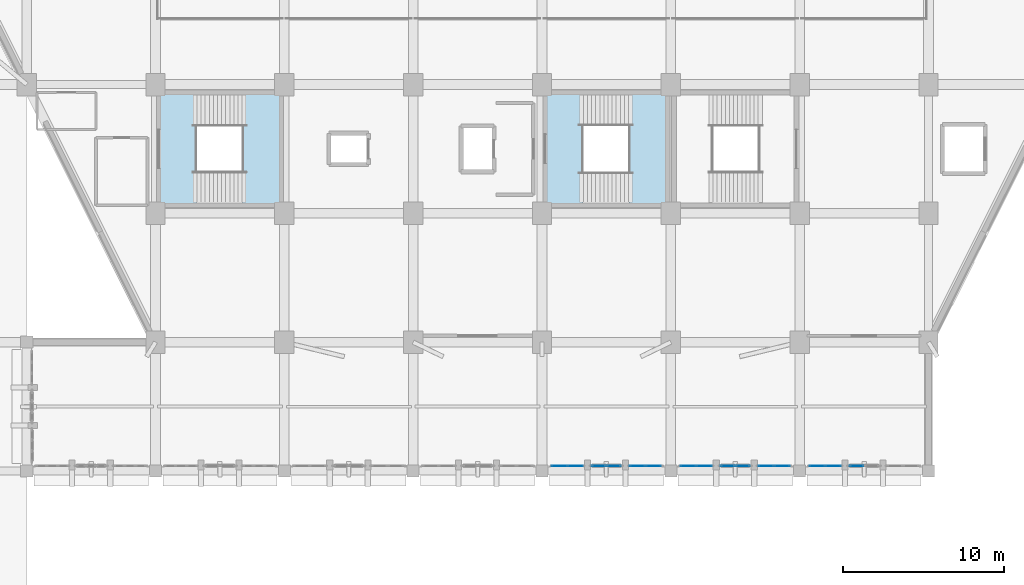
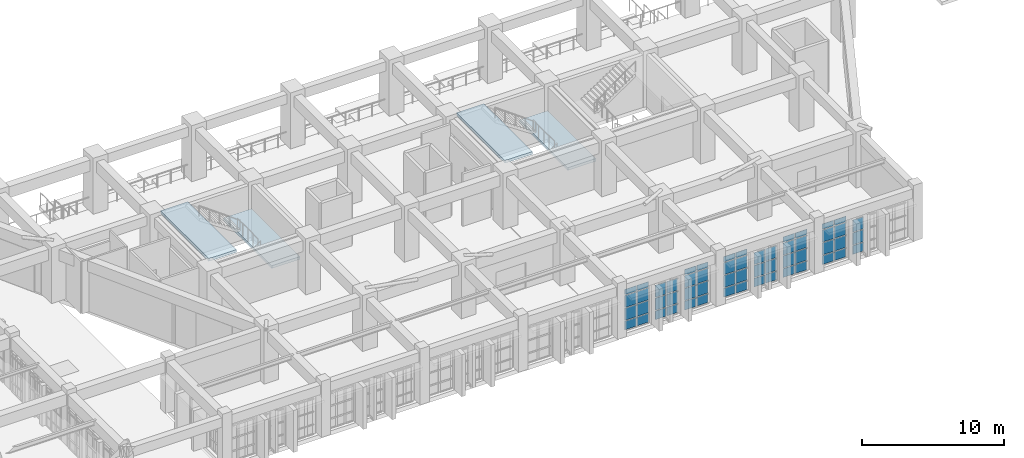
# One storey, part 96 of 155: 55 plates, 4 slabs, 10 elements without a shape of their own.
"""IFC4 building model written with IfcOpenShell, lengths in metres."""

from ifc_helpers import new_model, si_unit, direction, frame, origin, origin_2d, place, context, subcontext, project, spatial, polyline, rectangle, outline, extrude, material, layer, layer_set, type_object, element, aggregate, save


model = new_model("IFC4")

# Units and contexts
model_context = context("Model", 3, precision=1e-05, world=origin(), true_north=direction((0.0, 1.0)))
body_context = subcontext(model_context, "Body", "Model", "MODEL_VIEW")
ifc_project = project(units=[si_unit("LENGTHUNIT", "METRE"), si_unit("AREAUNIT", "SQUARE_METRE"), si_unit("VOLUMEUNIT", "CUBIC_METRE"), si_unit("PLANEANGLEUNIT", "RADIAN"), si_unit("MASSUNIT", "GRAM", prefix="KILO")], contexts=[model_context])

# Site, building, storey
site_placement = place(None, origin())
site = spatial("IfcSite", under=ifc_project, at=site_placement, CompositionType="ELEMENT")
building_placement = place(site_placement, origin())
building = spatial("IfcBuilding", under=site, at=building_placement, Name="Tazarka Park Arena", CompositionType="ELEMENT")
storey_placement = place(building_placement, frame((0.0, 0.0, 5.39990234375)))
storey = spatial("IfcBuildingStorey", under=building, at=storey_placement, Name="L01", CompositionType="ELEMENT", Elevation=5.39990234375)

# Curtain wall, plates
ifc_material_1 = material(Name="Aluminium and low-e glass", Category="aluminium")
ifc_layer_1 = layer(ifc_material_1, 0.179931640625, Name="Aluminium and low-e glass")
ifc_layer_set_1 = layer_set([ifc_layer_1], Name="Aluminium and low-e glass")
curtain_wall_type_1 = type_object("IfcCurtainWallType", Name="CW-18", PredefinedType="NOTDEFINED", material=ifc_layer_set_1)
curtain_wall_1_placement = place(storey_placement, origin())
curtain_wall_1 = element("IfcCurtainWall", 1, at=curtain_wall_1_placement, inside=storey, type_object=curtain_wall_type_1, Name="Curtain Wall CWA-L01-018", PredefinedType="NOTDEFINED")
ifc_material_2 = material(Name="Double low-e insulated glazing", Category="glass")
ifc_layer_2 = layer(ifc_material_2, 0.028076171875, Name="Double low-e insulated glazing")
ifc_layer_set_2 = layer_set([ifc_layer_2], Name="Double low-e insulated glazing")
plate_type_1 = type_object("IfcPlateType", Name="CWP-01", PredefinedType="CURTAIN_PANEL", material=ifc_layer_set_2)
plate_1_placement = place(storey_placement, frame((90.07861328125, 8.320068359375, 0.065185546875), z_axis=(0.0, 0.0, 1.0), x_axis=(-1.0, 0.0, 0.0)))
plate_1 = element("IfcPlate", 2, at=plate_1_placement, type_object=plate_type_1, Name="CW-18 panel 1.1", PredefinedType="CURTAIN_PANEL", context=body_context, shape_type="SweptSolid", body=[
    extrude(rectangle(XDim=0.92919921875, YDim=0.028076171875, at=origin_2d()), origin(), (0.0, 0.0, 1.0), 0.75244140625),
])
plate_2_placement = place(storey_placement, frame((90.07861328125, 8.320068359375, 0.8828125), z_axis=(0.0, 0.0, 1.0), x_axis=(-1.0, 0.0, 0.0)))
plate_2 = element("IfcPlate", 3, at=plate_2_placement, type_object=plate_type_1, Name="CW-18 panel 1.2", PredefinedType="CURTAIN_PANEL", context=body_context, shape_type="SweptSolid", body=[
    extrude(rectangle(XDim=0.92919921875, YDim=0.028076171875, at=origin_2d()), origin(), (0.0, 0.0, 1.0), 1.034912109375),
])
plate_3_placement = place(storey_placement, frame((90.07861328125, 8.320068359375, 1.982421875), z_axis=(0.0, 0.0, 1.0), x_axis=(-1.0, 0.0, 0.0)))
plate_3 = element("IfcPlate", 4, at=plate_3_placement, type_object=plate_type_1, Name="CW-18 panel 1.3", PredefinedType="CURTAIN_PANEL", context=body_context, shape_type="SweptSolid", body=[
    extrude(rectangle(XDim=0.92919921875, YDim=0.028076171875, at=origin_2d()), origin(), (0.0, 0.0, 1.0), 1.034912109375),
])
plate_4_placement = place(storey_placement, frame((90.07861328125, 8.320068359375, 3.08251953125), z_axis=(0.0, 0.0, 1.0), x_axis=(-1.0, 0.0, 0.0)))
plate_4 = element("IfcPlate", 5, at=plate_4_placement, type_object=plate_type_1, Name="CW-18 panel 1.4", PredefinedType="CURTAIN_PANEL", context=body_context, shape_type="SweptSolid", body=[
    extrude(rectangle(XDim=0.92919921875, YDim=0.028076171875, at=origin_2d()), origin(), (0.0, 0.0, 1.0), 0.452392578125),
])
plate_5_placement = place(storey_placement, frame((89.08447265625, 8.320068359375, 0.065185546875), z_axis=(0.0, 0.0, 1.0), x_axis=(-1.0, 0.0, 0.0)))
plate_5 = element("IfcPlate", 6, at=plate_5_placement, type_object=plate_type_1, Name="CW-18 panel 2.1", PredefinedType="CURTAIN_PANEL", context=body_context, shape_type="SweptSolid", body=[
    extrude(rectangle(XDim=0.92919921875, YDim=0.028076171875, at=origin_2d()), origin(), (0.0, 0.0, 1.0), 0.75244140625),
])
plate_6_placement = place(storey_placement, frame((89.08447265625, 8.320068359375, 0.8828125), z_axis=(0.0, 0.0, 1.0), x_axis=(-1.0, 0.0, 0.0)))
plate_6 = element("IfcPlate", 7, at=plate_6_placement, type_object=plate_type_1, Name="CW-18 panel 2.2", PredefinedType="CURTAIN_PANEL", context=body_context, shape_type="SweptSolid", body=[
    extrude(rectangle(XDim=0.92919921875, YDim=0.028076171875, at=origin_2d()), origin(), (0.0, 0.0, 1.0), 1.034912109375),
])
plate_7_placement = place(storey_placement, frame((89.08447265625, 8.320068359375, 1.982421875), z_axis=(0.0, 0.0, 1.0), x_axis=(-1.0, 0.0, 0.0)))
plate_7 = element("IfcPlate", 8, at=plate_7_placement, type_object=plate_type_1, Name="CW-18 panel 2.3", PredefinedType="CURTAIN_PANEL", context=body_context, shape_type="SweptSolid", body=[
    extrude(rectangle(XDim=0.92919921875, YDim=0.028076171875, at=origin_2d()), origin(), (0.0, 0.0, 1.0), 1.034912109375),
])
plate_8_placement = place(storey_placement, frame((89.08447265625, 8.320068359375, 3.08251953125), z_axis=(0.0, 0.0, 1.0), x_axis=(-1.0, 0.0, 0.0)))
plate_8 = element("IfcPlate", 9, at=plate_8_placement, type_object=plate_type_1, Name="CW-18 panel 2.4", PredefinedType="CURTAIN_PANEL", context=body_context, shape_type="SweptSolid", body=[
    extrude(rectangle(XDim=0.92919921875, YDim=0.028076171875, at=origin_2d()), origin(), (0.0, 0.0, 1.0), 0.452392578125),
])
aggregate(curtain_wall_1, [plate_1, plate_2, plate_3, plate_4, plate_5, plate_6, plate_7, plate_8])

ifc_material_3 = material(Name="Aluminium and low-e glass", Category="aluminium")
ifc_layer_3 = layer(ifc_material_3, 0.179931640625, Name="Aluminium and low-e glass")
ifc_layer_set_3 = layer_set([ifc_layer_3], Name="Aluminium and low-e glass")
curtain_wall_type_2 = type_object("IfcCurtainWallType", Name="CW-21", PredefinedType="NOTDEFINED", material=ifc_layer_set_3)
curtain_wall_2_placement = place(storey_placement, origin())
curtain_wall_2 = element("IfcCurtainWall", 10, at=curtain_wall_2_placement, inside=storey, type_object=curtain_wall_type_2, Name="Curtain Wall CWA-L01-021", PredefinedType="NOTDEFINED")
plate_9_placement = place(storey_placement, frame((98.07861328125, 8.320068359375, 0.065185546875), z_axis=(0.0, 0.0, 1.0), x_axis=(-1.0, 0.0, 0.0)))
plate_9 = element("IfcPlate", 11, at=plate_9_placement, type_object=plate_type_1, Name="CW-21 panel 1.1", PredefinedType="CURTAIN_PANEL", context=body_context, shape_type="SweptSolid", body=[
    extrude(rectangle(XDim=0.92919921875, YDim=0.028076171875, at=origin_2d()), origin(), (0.0, 0.0, 1.0), 0.75244140625),
])
plate_10_placement = place(storey_placement, frame((98.07861328125, 8.320068359375, 0.8828125), z_axis=(0.0, 0.0, 1.0), x_axis=(-1.0, 0.0, 0.0)))
plate_10 = element("IfcPlate", 12, at=plate_10_placement, type_object=plate_type_1, Name="CW-21 panel 1.2", PredefinedType="CURTAIN_PANEL", context=body_context, shape_type="SweptSolid", body=[
    extrude(rectangle(XDim=0.92919921875, YDim=0.028076171875, at=origin_2d()), origin(), (0.0, 0.0, 1.0), 1.034912109375),
])
plate_11_placement = place(storey_placement, frame((98.07861328125, 8.320068359375, 1.982421875), z_axis=(0.0, 0.0, 1.0), x_axis=(-1.0, 0.0, 0.0)))
plate_11 = element("IfcPlate", 13, at=plate_11_placement, type_object=plate_type_1, Name="CW-21 panel 1.3", PredefinedType="CURTAIN_PANEL", context=body_context, shape_type="SweptSolid", body=[
    extrude(rectangle(XDim=0.92919921875, YDim=0.028076171875, at=origin_2d()), origin(), (0.0, 0.0, 1.0), 1.034912109375),
])
plate_12_placement = place(storey_placement, frame((98.07861328125, 8.320068359375, 3.08251953125), z_axis=(0.0, 0.0, 1.0), x_axis=(-1.0, 0.0, 0.0)))
plate_12 = element("IfcPlate", 14, at=plate_12_placement, type_object=plate_type_1, Name="CW-21 panel 1.4", PredefinedType="CURTAIN_PANEL", context=body_context, shape_type="SweptSolid", body=[
    extrude(rectangle(XDim=0.92919921875, YDim=0.028076171875, at=origin_2d()), origin(), (0.0, 0.0, 1.0), 0.452392578125),
])
plate_13_placement = place(storey_placement, frame((97.08447265625, 8.320068359375, 0.065185546875), z_axis=(0.0, 0.0, 1.0), x_axis=(-1.0, 0.0, 0.0)))
plate_13 = element("IfcPlate", 15, at=plate_13_placement, type_object=plate_type_1, Name="CW-21 panel 2.1", PredefinedType="CURTAIN_PANEL", context=body_context, shape_type="SweptSolid", body=[
    extrude(rectangle(XDim=0.92919921875, YDim=0.028076171875, at=origin_2d()), origin(), (0.0, 0.0, 1.0), 0.75244140625),
])
plate_14_placement = place(storey_placement, frame((97.08447265625, 8.320068359375, 0.8828125), z_axis=(0.0, 0.0, 1.0), x_axis=(-1.0, 0.0, 0.0)))
plate_14 = element("IfcPlate", 16, at=plate_14_placement, type_object=plate_type_1, Name="CW-21 panel 2.2", PredefinedType="CURTAIN_PANEL", context=body_context, shape_type="SweptSolid", body=[
    extrude(rectangle(XDim=0.92919921875, YDim=0.028076171875, at=origin_2d()), origin(), (0.0, 0.0, 1.0), 1.034912109375),
])
plate_15_placement = place(storey_placement, frame((97.08447265625, 8.320068359375, 1.982421875), z_axis=(0.0, 0.0, 1.0), x_axis=(-1.0, 0.0, 0.0)))
plate_15 = element("IfcPlate", 17, at=plate_15_placement, type_object=plate_type_1, Name="CW-21 panel 2.3", PredefinedType="CURTAIN_PANEL", context=body_context, shape_type="SweptSolid", body=[
    extrude(rectangle(XDim=0.92919921875, YDim=0.028076171875, at=origin_2d()), origin(), (0.0, 0.0, 1.0), 1.034912109375),
])
plate_16_placement = place(storey_placement, frame((97.08447265625, 8.320068359375, 3.08251953125), z_axis=(0.0, 0.0, 1.0), x_axis=(-1.0, 0.0, 0.0)))
plate_16 = element("IfcPlate", 18, at=plate_16_placement, type_object=plate_type_1, Name="CW-21 panel 2.4", PredefinedType="CURTAIN_PANEL", context=body_context, shape_type="SweptSolid", body=[
    extrude(rectangle(XDim=0.92919921875, YDim=0.028076171875, at=origin_2d()), origin(), (0.0, 0.0, 1.0), 0.452392578125),
])
aggregate(curtain_wall_2, [plate_9, plate_10, plate_11, plate_12, plate_13, plate_14, plate_15, plate_16])

ifc_material_4 = material(Name="Aluminium and low-e glass", Category="aluminium")
ifc_layer_4 = layer(ifc_material_4, 0.179931640625, Name="Aluminium and low-e glass")
ifc_layer_set_4 = layer_set([ifc_layer_4], Name="Aluminium and low-e glass")
curtain_wall_type_3 = type_object("IfcCurtainWallType", Name="CW-24", PredefinedType="NOTDEFINED", material=ifc_layer_set_4)
curtain_wall_3_placement = place(storey_placement, origin())
curtain_wall_3 = element("IfcCurtainWall", 19, at=curtain_wall_3_placement, inside=storey, type_object=curtain_wall_type_3, Name="Curtain Wall CWA-L01-024", PredefinedType="NOTDEFINED")
plate_17_placement = place(storey_placement, frame((106.07861328125, 8.320068359375, 0.065185546875), z_axis=(0.0, 0.0, 1.0), x_axis=(-1.0, 0.0, 0.0)))
plate_17 = element("IfcPlate", 20, at=plate_17_placement, type_object=plate_type_1, Name="CW-24 panel 1.1", PredefinedType="CURTAIN_PANEL", context=body_context, shape_type="SweptSolid", body=[
    extrude(rectangle(XDim=0.92919921875, YDim=0.028076171875, at=origin_2d()), origin(), (0.0, 0.0, 1.0), 0.75244140625),
])
plate_18_placement = place(storey_placement, frame((106.07861328125, 8.320068359375, 0.8828125), z_axis=(0.0, 0.0, 1.0), x_axis=(-1.0, 0.0, 0.0)))
plate_18 = element("IfcPlate", 21, at=plate_18_placement, type_object=plate_type_1, Name="CW-24 panel 1.2", PredefinedType="CURTAIN_PANEL", context=body_context, shape_type="SweptSolid", body=[
    extrude(rectangle(XDim=0.92919921875, YDim=0.028076171875, at=origin_2d()), origin(), (0.0, 0.0, 1.0), 1.034912109375),
])
plate_19_placement = place(storey_placement, frame((106.07861328125, 8.320068359375, 1.982421875), z_axis=(0.0, 0.0, 1.0), x_axis=(-1.0, 0.0, 0.0)))
plate_19 = element("IfcPlate", 22, at=plate_19_placement, type_object=plate_type_1, Name="CW-24 panel 1.3", PredefinedType="CURTAIN_PANEL", context=body_context, shape_type="SweptSolid", body=[
    extrude(rectangle(XDim=0.92919921875, YDim=0.028076171875, at=origin_2d()), origin(), (0.0, 0.0, 1.0), 1.034912109375),
])
plate_20_placement = place(storey_placement, frame((106.07861328125, 8.320068359375, 3.08251953125), z_axis=(0.0, 0.0, 1.0), x_axis=(-1.0, 0.0, 0.0)))
plate_20 = element("IfcPlate", 23, at=plate_20_placement, type_object=plate_type_1, Name="CW-24 panel 1.4", PredefinedType="CURTAIN_PANEL", context=body_context, shape_type="SweptSolid", body=[
    extrude(rectangle(XDim=0.92919921875, YDim=0.028076171875, at=origin_2d()), origin(), (0.0, 0.0, 1.0), 0.452392578125),
])
plate_21_placement = place(storey_placement, frame((105.08447265625, 8.320068359375, 0.065185546875), z_axis=(0.0, 0.0, 1.0), x_axis=(-1.0, 0.0, 0.0)))
plate_21 = element("IfcPlate", 24, at=plate_21_placement, type_object=plate_type_1, Name="CW-24 panel 2.1", PredefinedType="CURTAIN_PANEL", context=body_context, shape_type="SweptSolid", body=[
    extrude(rectangle(XDim=0.92919921875, YDim=0.028076171875, at=origin_2d()), origin(), (0.0, 0.0, 1.0), 0.75244140625),
])
plate_22_placement = place(storey_placement, frame((105.08447265625, 8.320068359375, 0.8828125), z_axis=(0.0, 0.0, 1.0), x_axis=(-1.0, 0.0, 0.0)))
plate_22 = element("IfcPlate", 25, at=plate_22_placement, type_object=plate_type_1, Name="CW-24 panel 2.2", PredefinedType="CURTAIN_PANEL", context=body_context, shape_type="SweptSolid", body=[
    extrude(rectangle(XDim=0.92919921875, YDim=0.028076171875, at=origin_2d()), origin(), (0.0, 0.0, 1.0), 1.034912109375),
])
plate_23_placement = place(storey_placement, frame((105.08447265625, 8.320068359375, 1.982421875), z_axis=(0.0, 0.0, 1.0), x_axis=(-1.0, 0.0, 0.0)))
plate_23 = element("IfcPlate", 26, at=plate_23_placement, type_object=plate_type_1, Name="CW-24 panel 2.3", PredefinedType="CURTAIN_PANEL", context=body_context, shape_type="SweptSolid", body=[
    extrude(rectangle(XDim=0.92919921875, YDim=0.028076171875, at=origin_2d()), origin(), (0.0, 0.0, 1.0), 1.034912109375),
])
plate_24_placement = place(storey_placement, frame((105.08447265625, 8.320068359375, 3.08251953125), z_axis=(0.0, 0.0, 1.0), x_axis=(-1.0, 0.0, 0.0)))
plate_24 = element("IfcPlate", 27, at=plate_24_placement, type_object=plate_type_1, Name="CW-24 panel 2.4", PredefinedType="CURTAIN_PANEL", context=body_context, shape_type="SweptSolid", body=[
    extrude(rectangle(XDim=0.92919921875, YDim=0.028076171875, at=origin_2d()), origin(), (0.0, 0.0, 1.0), 0.452392578125),
])
aggregate(curtain_wall_3, [plate_17, plate_18, plate_19, plate_20, plate_21, plate_22, plate_23, plate_24])

ifc_material_5 = material(Name="Aluminium and low-e glass", Category="aluminium")
ifc_layer_5 = layer(ifc_material_5, 0.179931640625, Name="Aluminium and low-e glass")
ifc_layer_set_5 = layer_set([ifc_layer_5], Name="Aluminium and low-e glass")
curtain_wall_type_4 = type_object("IfcCurtainWallType", Name="CW-16", PredefinedType="NOTDEFINED", material=ifc_layer_set_5)
curtain_wall_4_placement = place(storey_placement, origin())
curtain_wall_4 = element("IfcCurtainWall", 28, at=curtain_wall_4_placement, inside=storey, type_object=curtain_wall_type_4, Name="Curtain Wall CWA-L01-016", PredefinedType="NOTDEFINED")
ifc_material_6 = material(Name="Triple acoustic solar glazing", Category="glass")
ifc_layer_6 = layer(ifc_material_6, 0.031982421875, Name="Triple acoustic solar glazing")
ifc_layer_set_6 = layer_set([ifc_layer_6], Name="Triple acoustic solar glazing")
plate_type_2 = type_object("IfcPlateType", Name="CWP-02", PredefinedType="CURTAIN_PANEL", material=ifc_layer_set_6)
plate_25_placement = place(storey_placement, frame((94.91552734375, 8.320068359375, 0.065185546875), z_axis=(0.0, 0.0, 1.0), x_axis=(-1.0, 0.0, 0.0)))
plate_25 = element("IfcPlate", 29, at=plate_25_placement, type_object=plate_type_2, Name="CW-16 panel 1.1", PredefinedType="CURTAIN_PANEL", context=body_context, shape_type="SweptSolid", body=[
    extrude(rectangle(XDim=0.92919921875, YDim=0.031982421875, at=origin_2d()), origin(), (0.0, 0.0, 1.0), 0.75244140625),
])
plate_26_placement = place(storey_placement, frame((94.91552734375, 8.320068359375, 0.8828125), z_axis=(0.0, 0.0, 1.0), x_axis=(-1.0, 0.0, 0.0)))
plate_26 = element("IfcPlate", 30, at=plate_26_placement, type_object=plate_type_2, Name="CW-16 panel 1.2", PredefinedType="CURTAIN_PANEL", context=body_context, shape_type="SweptSolid", body=[
    extrude(rectangle(XDim=0.92919921875, YDim=0.031982421875, at=origin_2d()), origin(), (0.0, 0.0, 1.0), 1.034912109375),
])
plate_27_placement = place(storey_placement, frame((94.91552734375, 8.320068359375, 1.982421875), z_axis=(0.0, 0.0, 1.0), x_axis=(-1.0, 0.0, 0.0)))
plate_27 = element("IfcPlate", 31, at=plate_27_placement, type_object=plate_type_2, Name="CW-16 panel 1.3", PredefinedType="CURTAIN_PANEL", context=body_context, shape_type="SweptSolid", body=[
    extrude(rectangle(XDim=0.92919921875, YDim=0.031982421875, at=origin_2d()), origin(), (0.0, 0.0, 1.0), 1.034912109375),
])
plate_28_placement = place(storey_placement, frame((94.91552734375, 8.320068359375, 3.08251953125), z_axis=(0.0, 0.0, 1.0), x_axis=(-1.0, 0.0, 0.0)))
plate_28 = element("IfcPlate", 32, at=plate_28_placement, type_object=plate_type_2, Name="CW-16 panel 1.4", PredefinedType="CURTAIN_PANEL", context=body_context, shape_type="SweptSolid", body=[
    extrude(rectangle(XDim=0.92919921875, YDim=0.031982421875, at=origin_2d()), origin(), (0.0, 0.0, 1.0), 0.452392578125),
])
plate_29_placement = place(storey_placement, frame((93.92138671875, 8.320068359375, 0.065185546875), z_axis=(0.0, 0.0, 1.0), x_axis=(-1.0, 0.0, 0.0)))
plate_29 = element("IfcPlate", 33, at=plate_29_placement, type_object=plate_type_2, Name="CW-16 panel 2.1", PredefinedType="CURTAIN_PANEL", context=body_context, shape_type="SweptSolid", body=[
    extrude(rectangle(XDim=0.92919921875, YDim=0.031982421875, at=origin_2d()), origin(), (0.0, 0.0, 1.0), 0.75244140625),
])
plate_30_placement = place(storey_placement, frame((93.92138671875, 8.320068359375, 0.8828125), z_axis=(0.0, 0.0, 1.0), x_axis=(-1.0, 0.0, 0.0)))
plate_30 = element("IfcPlate", 34, at=plate_30_placement, type_object=plate_type_2, Name="CW-16 panel 2.2", PredefinedType="CURTAIN_PANEL", context=body_context, shape_type="SweptSolid", body=[
    extrude(rectangle(XDim=0.92919921875, YDim=0.031982421875, at=origin_2d()), origin(), (0.0, 0.0, 1.0), 1.034912109375),
])
plate_31_placement = place(storey_placement, frame((93.92138671875, 8.320068359375, 1.982421875), z_axis=(0.0, 0.0, 1.0), x_axis=(-1.0, 0.0, 0.0)))
plate_31 = element("IfcPlate", 35, at=plate_31_placement, type_object=plate_type_2, Name="CW-16 panel 2.3", PredefinedType="CURTAIN_PANEL", context=body_context, shape_type="SweptSolid", body=[
    extrude(rectangle(XDim=0.92919921875, YDim=0.031982421875, at=origin_2d()), origin(), (0.0, 0.0, 1.0), 1.034912109375),
])
plate_32_placement = place(storey_placement, frame((93.92138671875, 8.320068359375, 3.08251953125), z_axis=(0.0, 0.0, 1.0), x_axis=(-1.0, 0.0, 0.0)))
plate_32 = element("IfcPlate", 36, at=plate_32_placement, type_object=plate_type_2, Name="CW-16 panel 2.4", PredefinedType="CURTAIN_PANEL", context=body_context, shape_type="SweptSolid", body=[
    extrude(rectangle(XDim=0.92919921875, YDim=0.031982421875, at=origin_2d()), origin(), (0.0, 0.0, 1.0), 0.452392578125),
])
aggregate(curtain_wall_4, [plate_25, plate_26, plate_27, plate_28, plate_29, plate_30, plate_31, plate_32])

ifc_material_7 = material(Name="Aluminium and low-e glass", Category="aluminium")
ifc_layer_7 = layer(ifc_material_7, 0.179931640625, Name="Aluminium and low-e glass")
ifc_layer_set_7 = layer_set([ifc_layer_7], Name="Aluminium and low-e glass")
curtain_wall_type_5 = type_object("IfcCurtainWallType", Name="CW-19", PredefinedType="NOTDEFINED", material=ifc_layer_set_7)
curtain_wall_5_placement = place(storey_placement, origin())
curtain_wall_5 = element("IfcCurtainWall", 37, at=curtain_wall_5_placement, inside=storey, type_object=curtain_wall_type_5, Name="Curtain Wall CWA-L01-019", PredefinedType="NOTDEFINED")
plate_33_placement = place(storey_placement, frame((102.91552734375, 8.320068359375, 0.065185546875), z_axis=(0.0, 0.0, 1.0), x_axis=(-1.0, 0.0, 0.0)))
plate_33 = element("IfcPlate", 38, at=plate_33_placement, type_object=plate_type_2, Name="CW-19 panel 1.1", PredefinedType="CURTAIN_PANEL", context=body_context, shape_type="SweptSolid", body=[
    extrude(rectangle(XDim=0.92919921875, YDim=0.031982421875, at=origin_2d()), origin(), (0.0, 0.0, 1.0), 0.75244140625),
])
plate_34_placement = place(storey_placement, frame((102.91552734375, 8.320068359375, 0.8828125), z_axis=(0.0, 0.0, 1.0), x_axis=(-1.0, 0.0, 0.0)))
plate_34 = element("IfcPlate", 39, at=plate_34_placement, type_object=plate_type_2, Name="CW-19 panel 1.2", PredefinedType="CURTAIN_PANEL", context=body_context, shape_type="SweptSolid", body=[
    extrude(rectangle(XDim=0.92919921875, YDim=0.031982421875, at=origin_2d()), origin(), (0.0, 0.0, 1.0), 1.034912109375),
])
plate_35_placement = place(storey_placement, frame((102.91552734375, 8.320068359375, 1.982421875), z_axis=(0.0, 0.0, 1.0), x_axis=(-1.0, 0.0, 0.0)))
plate_35 = element("IfcPlate", 40, at=plate_35_placement, type_object=plate_type_2, Name="CW-19 panel 1.3", PredefinedType="CURTAIN_PANEL", context=body_context, shape_type="SweptSolid", body=[
    extrude(rectangle(XDim=0.92919921875, YDim=0.031982421875, at=origin_2d()), origin(), (0.0, 0.0, 1.0), 1.034912109375),
])
plate_36_placement = place(storey_placement, frame((102.91552734375, 8.320068359375, 3.08251953125), z_axis=(0.0, 0.0, 1.0), x_axis=(-1.0, 0.0, 0.0)))
plate_36 = element("IfcPlate", 41, at=plate_36_placement, type_object=plate_type_2, Name="CW-19 panel 1.4", PredefinedType="CURTAIN_PANEL", context=body_context, shape_type="SweptSolid", body=[
    extrude(rectangle(XDim=0.92919921875, YDim=0.031982421875, at=origin_2d()), origin(), (0.0, 0.0, 1.0), 0.452392578125),
])
plate_37_placement = place(storey_placement, frame((101.92138671875, 8.320068359375, 0.065185546875), z_axis=(0.0, 0.0, 1.0), x_axis=(-1.0, 0.0, 0.0)))
plate_37 = element("IfcPlate", 42, at=plate_37_placement, type_object=plate_type_2, Name="CW-19 panel 2.1", PredefinedType="CURTAIN_PANEL", context=body_context, shape_type="SweptSolid", body=[
    extrude(rectangle(XDim=0.92919921875, YDim=0.031982421875, at=origin_2d()), origin(), (0.0, 0.0, 1.0), 0.75244140625),
])
plate_38_placement = place(storey_placement, frame((101.92138671875, 8.320068359375, 0.8828125), z_axis=(0.0, 0.0, 1.0), x_axis=(-1.0, 0.0, 0.0)))
plate_38 = element("IfcPlate", 43, at=plate_38_placement, type_object=plate_type_2, Name="CW-19 panel 2.2", PredefinedType="CURTAIN_PANEL", context=body_context, shape_type="SweptSolid", body=[
    extrude(rectangle(XDim=0.92919921875, YDim=0.031982421875, at=origin_2d()), origin(), (0.0, 0.0, 1.0), 1.034912109375),
])
plate_39_placement = place(storey_placement, frame((101.92138671875, 8.320068359375, 1.982421875), z_axis=(0.0, 0.0, 1.0), x_axis=(-1.0, 0.0, 0.0)))
plate_39 = element("IfcPlate", 44, at=plate_39_placement, type_object=plate_type_2, Name="CW-19 panel 2.3", PredefinedType="CURTAIN_PANEL", context=body_context, shape_type="SweptSolid", body=[
    extrude(rectangle(XDim=0.92919921875, YDim=0.031982421875, at=origin_2d()), origin(), (0.0, 0.0, 1.0), 1.034912109375),
])
plate_40_placement = place(storey_placement, frame((101.92138671875, 8.320068359375, 3.08251953125), z_axis=(0.0, 0.0, 1.0), x_axis=(-1.0, 0.0, 0.0)))
plate_40 = element("IfcPlate", 45, at=plate_40_placement, type_object=plate_type_2, Name="CW-19 panel 2.4", PredefinedType="CURTAIN_PANEL", context=body_context, shape_type="SweptSolid", body=[
    extrude(rectangle(XDim=0.92919921875, YDim=0.031982421875, at=origin_2d()), origin(), (0.0, 0.0, 1.0), 0.452392578125),
])
aggregate(curtain_wall_5, [plate_33, plate_34, plate_35, plate_36, plate_37, plate_38, plate_39, plate_40])

ifc_material_8 = material(Name="Aluminium and low-e glass", Category="aluminium")
ifc_layer_8 = layer(ifc_material_8, 0.179931640625, Name="Aluminium and low-e glass")
ifc_layer_set_8 = layer_set([ifc_layer_8], Name="Aluminium and low-e glass")
curtain_wall_type_6 = type_object("IfcCurtainWallType", Name="CW-17", PredefinedType="NOTDEFINED", material=ifc_layer_set_8)
curtain_wall_6_placement = place(storey_placement, origin())
curtain_wall_6 = element("IfcCurtainWall", 46, at=curtain_wall_6_placement, inside=storey, type_object=curtain_wall_type_6, Name="Curtain Wall CWA-L01-017", PredefinedType="NOTDEFINED")
ifc_material_9 = material(Name="Insulated aluminium spandrel panel", Category="aluminium")
ifc_layer_9 = layer(ifc_material_9, 0.035888671875, Name="Insulated aluminium spandrel panel")
ifc_layer_set_9 = layer_set([ifc_layer_9], Name="Insulated aluminium spandrel panel")
plate_type_3 = type_object("IfcPlateType", Name="CWP-03", PredefinedType="CURTAIN_PANEL", material=ifc_layer_set_9)
plate_41_placement = place(storey_placement, frame((92.467041015625, 8.320068359375, 0.0751953125), z_axis=(0.0, 0.0, 1.0), x_axis=(-1.0, 0.0, 0.0)))
plate_41 = element("IfcPlate", 47, at=plate_41_placement, type_object=plate_type_3, Name="CW-17 panel 1.1", PredefinedType="CURTAIN_PANEL", context=body_context, shape_type="SweptSolid", body=[
    extrude(rectangle(XDim=0.859130859375, YDim=0.035888671875, at=origin_2d()), origin(), (0.0, 0.0, 1.0), 0.737548828125),
])
plate_42_placement = place(storey_placement, frame((92.467041015625, 8.320068359375, 0.8876953125), z_axis=(0.0, 0.0, 1.0), x_axis=(-1.0, 0.0, 0.0)))
plate_42 = element("IfcPlate", 48, at=plate_42_placement, type_object=plate_type_3, Name="CW-17 panel 1.2", PredefinedType="CURTAIN_PANEL", context=body_context, shape_type="SweptSolid", body=[
    extrude(rectangle(XDim=0.859130859375, YDim=0.035888671875, at=origin_2d()), origin(), (0.0, 0.0, 1.0), 1.02490234375),
])
plate_43_placement = place(storey_placement, frame((92.467041015625, 8.320068359375, 1.987548828125), z_axis=(0.0, 0.0, 1.0), x_axis=(-1.0, 0.0, 0.0)))
plate_43 = element("IfcPlate", 49, at=plate_43_placement, type_object=plate_type_3, Name="CW-17 panel 1.3", PredefinedType="CURTAIN_PANEL", context=body_context, shape_type="SweptSolid", body=[
    extrude(rectangle(XDim=0.859130859375, YDim=0.035888671875, at=origin_2d()), origin(), (0.0, 0.0, 1.0), 1.02490234375),
])
plate_44_placement = place(storey_placement, frame((91.532958984375, 8.320068359375, 0.0751953125), z_axis=(0.0, 0.0, 1.0), x_axis=(-1.0, 0.0, 0.0)))
plate_44 = element("IfcPlate", 50, at=plate_44_placement, type_object=plate_type_3, Name="CW-17 panel 2.1", PredefinedType="CURTAIN_PANEL", context=body_context, shape_type="SweptSolid", body=[
    extrude(rectangle(XDim=0.859130859375, YDim=0.035888671875, at=origin_2d()), origin(), (0.0, 0.0, 1.0), 0.737548828125),
])
plate_45_placement = place(storey_placement, frame((91.532958984375, 8.320068359375, 0.8876953125), z_axis=(0.0, 0.0, 1.0), x_axis=(-1.0, 0.0, 0.0)))
plate_45 = element("IfcPlate", 51, at=plate_45_placement, type_object=plate_type_3, Name="CW-17 panel 2.2", PredefinedType="CURTAIN_PANEL", context=body_context, shape_type="SweptSolid", body=[
    extrude(rectangle(XDim=0.859130859375, YDim=0.035888671875, at=origin_2d()), origin(), (0.0, 0.0, 1.0), 1.02490234375),
])
plate_46_placement = place(storey_placement, frame((91.532958984375, 8.320068359375, 1.987548828125), z_axis=(0.0, 0.0, 1.0), x_axis=(-1.0, 0.0, 0.0)))
plate_46 = element("IfcPlate", 52, at=plate_46_placement, type_object=plate_type_3, Name="CW-17 panel 2.3", PredefinedType="CURTAIN_PANEL", context=body_context, shape_type="SweptSolid", body=[
    extrude(rectangle(XDim=0.859130859375, YDim=0.035888671875, at=origin_2d()), origin(), (0.0, 0.0, 1.0), 1.02490234375),
])
aggregate(curtain_wall_6, [plate_41, plate_42, plate_43, plate_44, plate_45, plate_46])

ifc_material_10 = material(Name="Aluminium and low-e glass", Category="aluminium")
ifc_layer_10 = layer(ifc_material_10, 0.179931640625, Name="Aluminium and low-e glass")
ifc_layer_set_10 = layer_set([ifc_layer_10], Name="Aluminium and low-e glass")
curtain_wall_type_7 = type_object("IfcCurtainWallType", Name="CW-20", PredefinedType="NOTDEFINED", material=ifc_layer_set_10)
curtain_wall_7_placement = place(storey_placement, origin())
curtain_wall_7 = element("IfcCurtainWall", 53, at=curtain_wall_7_placement, inside=storey, type_object=curtain_wall_type_7, Name="Curtain Wall CWA-L01-020", PredefinedType="NOTDEFINED")
plate_47_placement = place(storey_placement, frame((100.467041015625, 8.320068359375, 0.0751953125), z_axis=(0.0, 0.0, 1.0), x_axis=(-1.0, 0.0, 0.0)))
plate_47 = element("IfcPlate", 54, at=plate_47_placement, type_object=plate_type_3, Name="CW-20 panel 1.1", PredefinedType="CURTAIN_PANEL", context=body_context, shape_type="SweptSolid", body=[
    extrude(rectangle(XDim=0.859130859375, YDim=0.035888671875, at=origin_2d()), origin(), (0.0, 0.0, 1.0), 0.737548828125),
])
plate_48_placement = place(storey_placement, frame((100.467041015625, 8.320068359375, 0.8876953125), z_axis=(0.0, 0.0, 1.0), x_axis=(-1.0, 0.0, 0.0)))
plate_48 = element("IfcPlate", 55, at=plate_48_placement, type_object=plate_type_3, Name="CW-20 panel 1.2", PredefinedType="CURTAIN_PANEL", context=body_context, shape_type="SweptSolid", body=[
    extrude(rectangle(XDim=0.859130859375, YDim=0.035888671875, at=origin_2d()), origin(), (0.0, 0.0, 1.0), 1.02490234375),
])
plate_49_placement = place(storey_placement, frame((100.467041015625, 8.320068359375, 1.987548828125), z_axis=(0.0, 0.0, 1.0), x_axis=(-1.0, 0.0, 0.0)))
plate_49 = element("IfcPlate", 56, at=plate_49_placement, type_object=plate_type_3, Name="CW-20 panel 1.3", PredefinedType="CURTAIN_PANEL", context=body_context, shape_type="SweptSolid", body=[
    extrude(rectangle(XDim=0.859130859375, YDim=0.035888671875, at=origin_2d()), origin(), (0.0, 0.0, 1.0), 1.02490234375),
])
plate_50_placement = place(storey_placement, frame((99.532958984375, 8.320068359375, 0.0751953125), z_axis=(0.0, 0.0, 1.0), x_axis=(-1.0, 0.0, 0.0)))
plate_50 = element("IfcPlate", 57, at=plate_50_placement, type_object=plate_type_3, Name="CW-20 panel 2.1", PredefinedType="CURTAIN_PANEL", context=body_context, shape_type="SweptSolid", body=[
    extrude(rectangle(XDim=0.859130859375, YDim=0.035888671875, at=origin_2d()), origin(), (0.0, 0.0, 1.0), 0.737548828125),
])
plate_51_placement = place(storey_placement, frame((99.532958984375, 8.320068359375, 0.8876953125), z_axis=(0.0, 0.0, 1.0), x_axis=(-1.0, 0.0, 0.0)))
plate_51 = element("IfcPlate", 58, at=plate_51_placement, type_object=plate_type_3, Name="CW-20 panel 2.2", PredefinedType="CURTAIN_PANEL", context=body_context, shape_type="SweptSolid", body=[
    extrude(rectangle(XDim=0.859130859375, YDim=0.035888671875, at=origin_2d()), origin(), (0.0, 0.0, 1.0), 1.02490234375),
])
plate_52_placement = place(storey_placement, frame((99.532958984375, 8.320068359375, 1.987548828125), z_axis=(0.0, 0.0, 1.0), x_axis=(-1.0, 0.0, 0.0)))
plate_52 = element("IfcPlate", 59, at=plate_52_placement, type_object=plate_type_3, Name="CW-20 panel 2.3", PredefinedType="CURTAIN_PANEL", context=body_context, shape_type="SweptSolid", body=[
    extrude(rectangle(XDim=0.859130859375, YDim=0.035888671875, at=origin_2d()), origin(), (0.0, 0.0, 1.0), 1.02490234375),
])
aggregate(curtain_wall_7, [plate_47, plate_48, plate_49, plate_50, plate_51, plate_52])

ifc_material_11 = material(Name="Aluminium and low-e glass", Category="aluminium")
ifc_layer_11 = layer(ifc_material_11, 0.179931640625, Name="Aluminium and low-e glass")
ifc_layer_set_11 = layer_set([ifc_layer_11], Name="Aluminium and low-e glass")
curtain_wall_type_8 = type_object("IfcCurtainWallType", Name="CW-23", PredefinedType="NOTDEFINED", material=ifc_layer_set_11)
curtain_wall_8_placement = place(storey_placement, origin())
curtain_wall_8 = element("IfcCurtainWall", 60, at=curtain_wall_8_placement, inside=storey, type_object=curtain_wall_type_8, Name="Curtain Wall CWA-L01-023", PredefinedType="NOTDEFINED")
plate_53_placement = place(storey_placement, frame((107.532958984375, 8.320068359375, 0.0751953125), z_axis=(0.0, 0.0, 1.0), x_axis=(-1.0, 0.0, 0.0)))
plate_53 = element("IfcPlate", 61, at=plate_53_placement, type_object=plate_type_3, Name="CW-23 panel 2.1", PredefinedType="CURTAIN_PANEL", context=body_context, shape_type="SweptSolid", body=[
    extrude(rectangle(XDim=0.859130859375, YDim=0.035888671875, at=origin_2d()), origin(), (0.0, 0.0, 1.0), 0.737548828125),
])
plate_54_placement = place(storey_placement, frame((107.532958984375, 8.320068359375, 0.8876953125), z_axis=(0.0, 0.0, 1.0), x_axis=(-1.0, 0.0, 0.0)))
plate_54 = element("IfcPlate", 62, at=plate_54_placement, type_object=plate_type_3, Name="CW-23 panel 2.2", PredefinedType="CURTAIN_PANEL", context=body_context, shape_type="SweptSolid", body=[
    extrude(rectangle(XDim=0.859130859375, YDim=0.035888671875, at=origin_2d()), origin(), (0.0, 0.0, 1.0), 1.02490234375),
])
plate_55_placement = place(storey_placement, frame((107.532958984375, 8.320068359375, 1.987548828125), z_axis=(0.0, 0.0, 1.0), x_axis=(-1.0, 0.0, 0.0)))
plate_55 = element("IfcPlate", 63, at=plate_55_placement, type_object=plate_type_3, Name="CW-23 panel 2.3", PredefinedType="CURTAIN_PANEL", context=body_context, shape_type="SweptSolid", body=[
    extrude(rectangle(XDim=0.859130859375, YDim=0.035888671875, at=origin_2d()), origin(), (0.0, 0.0, 1.0), 1.02490234375),
])
aggregate(curtain_wall_8, [plate_53, plate_54, plate_55])

# Stair, slabs
ifc_material_12 = material(Name="Precast concrete C40/50", Category="concrete")
stair_type_1 = type_object("IfcStairType", Name="STR-2400", PredefinedType="HALF_TURN_STAIR", material=ifc_material_12)
stair_1_placement = place(storey_placement, origin())
stair_1 = element("IfcStair", 64, at=stair_1_placement, inside=storey, type_object=stair_type_1, Name="Stair ST09 L01", PredefinedType="HALF_TURN_STAIR")
ifc_material_13 = material(Name="Precast concrete C40/50", Category="concrete")
ifc_layer_12 = layer(ifc_material_13, 0.22998046875, Name="Precast concrete C40/50")
ifc_layer_set_12 = layer_set([ifc_layer_12], Name="Precast concrete C40/50")
slab_type = type_object("IfcSlabType", Name="LND-03", PredefinedType="LANDING", material=ifc_layer_set_12)
slab_1_placement = place(storey_placement, frame((0.0, 0.0, 2.170166015625)))
slab_1 = element("IfcSlab", 65, at=slab_1_placement, type_object=slab_type, Name="ST09-L01 landing 1", PredefinedType="LANDING", context=body_context, shape_type="SweptSolid", body=[
    extrude(outline(polyline([(69.409912109375, 24.610107421875), (71.68994140625, 24.610107421875), (71.68994140625, 31.389892578125), (69.409912109375, 31.389892578125), (69.409912109375, 24.610107421875)])), origin(), (0.0, 0.0, 1.0), 0.22998046875),
])
slab_2_placement = place(storey_placement, frame((0.0, 0.0, 4.570068359375)))
slab_2 = element("IfcSlab", 66, at=slab_2_placement, type_object=slab_type, Name="ST09-L01 landing 2", PredefinedType="LANDING", context=body_context, shape_type="SweptSolid", body=[
    extrude(outline(polyline([(64.31005859375, 24.610107421875), (66.534912109375, 24.610107421875), (66.534912109375, 31.389892578125), (64.31005859375, 31.389892578125), (64.31005859375, 24.610107421875)])), origin(), (0.0, 0.0, 1.0), 0.22998046875),
])
aggregate(stair_1, [slab_1, slab_2])

ifc_material_14 = material(Name="Precast concrete C40/50", Category="concrete")
stair_type_2 = type_object("IfcStairType", Name="STR-1800", PredefinedType="HALF_TURN_STAIR", material=ifc_material_14)
stair_2_placement = place(storey_placement, origin())
stair_2 = element("IfcStair", 67, at=stair_2_placement, inside=storey, type_object=stair_type_2, Name="Vomitory Stair ST23 L01", PredefinedType="HALF_TURN_STAIR")
slab_3_placement = place(storey_placement, frame((0.0, 0.0, 2.170166015625)))
slab_3 = element("IfcSlab", 68, at=slab_3_placement, type_object=slab_type, Name="ST23-L01 landing 1", PredefinedType="LANDING", context=body_context, shape_type="SweptSolid", body=[
    extrude(outline(polyline([(93.409912109375, 24.610107421875), (95.68994140625, 24.610107421875), (95.68994140625, 31.389892578125), (93.409912109375, 31.389892578125), (93.409912109375, 24.610107421875)])), origin(), (0.0, 0.0, 1.0), 0.22998046875),
])
slab_4_placement = place(storey_placement, frame((0.0, 0.0, 4.570068359375)))
slab_4 = element("IfcSlab", 69, at=slab_4_placement, type_object=slab_type, Name="ST23-L01 landing 2", PredefinedType="LANDING", context=body_context, shape_type="SweptSolid", body=[
    extrude(outline(polyline([(88.31005859375, 24.610107421875), (90.534912109375, 24.610107421875), (90.534912109375, 31.389892578125), (88.31005859375, 31.389892578125), (88.31005859375, 24.610107421875)])), origin(), (0.0, 0.0, 1.0), 0.22998046875),
])
aggregate(stair_2, [slab_3, slab_4])

save(model, "model.ifc")
